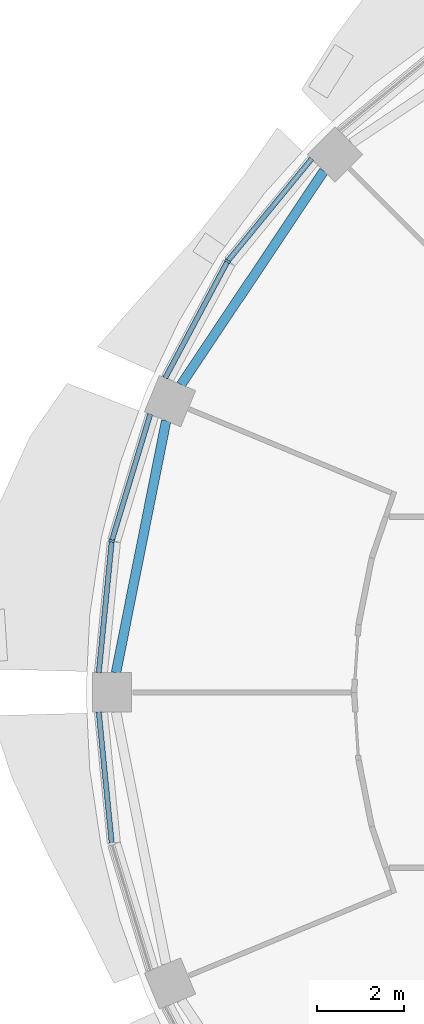
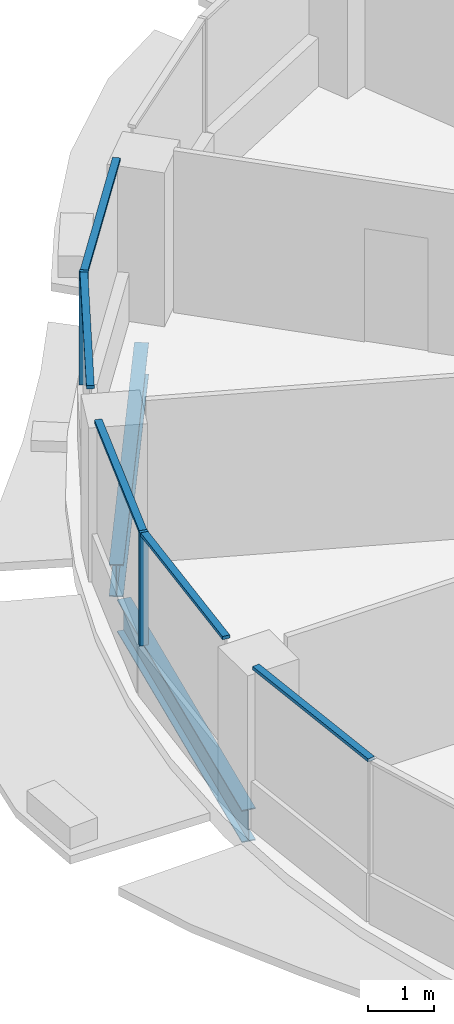
# One storey, part 4 of 15: 7 members, 2 beams, 3 elements without a shape of their own.
"""IFC4 building model written with IfcOpenShell, lengths in metres."""

import ifcopenshell
import ifcopenshell.guid

model = None  # the IFC model being written
_history = None  # IfcOwnerHistory: only IFC2X3 demands one
_inside = {}  # id of a spatial element -> (the spatial element, [elements in it])
_under = {}  # id of a project, library or spatial element -> (it, [spatial elements below it])
_declared = {}  # id of a project -> (the project, [libraries it declares])
_typed = {}  # id of a type object -> (the type object, [elements of that type])
_made_of = {}  # id of a material, layer set ... -> (it, [elements and type objects made of it])


def new_model(schema):
    """Start an empty IFC model of exactly this schema.

    Asked for "IFC4X3", IfcOpenShell would pick the latest addendum, in which some entities
    have other attributes; the version numbers below select the first issue.
    IFC2X3 requires an IfcOwnerHistory on every rooted entity: one is made here for all.
    """
    global model, _history
    if schema == "IFC4X3":
        model = ifcopenshell.file(schema_version=(4, 3, 0, 0))
    else:
        model = ifcopenshell.file(schema=schema)
    _inside.clear()
    _under.clear()
    _declared.clear()
    _typed.clear()
    _made_of.clear()
    _history = None
    if model.schema == "IFC2X3":
        org = make("IfcOrganization", Name="unknown")
        user = make(
            "IfcPersonAndOrganization",
            ThePerson=make("IfcPerson", FamilyName="unknown"),
            TheOrganization=org,
        )
        app = make(
            "IfcApplication",
            ApplicationDeveloper=org,
            Version="unknown",
            ApplicationFullName="unknown",
            ApplicationIdentifier="unknown",
        )
        _history = make(
            "IfcOwnerHistory",
            OwningUser=user,
            OwningApplication=app,
            ChangeAction="ADDED",
            CreationDate=0,
        )
    return model


def make(cls, **values):
    """One entity of the class cls with the attributes given. An attribute that is None is left unset."""
    return model.create_entity(
        cls, **{name: value for name, value in values.items() if value is not None}
    )


def rooted(cls, **values):
    """An entity with a GlobalId (a new one), such as an element, a storey or a relation."""
    return make(cls, GlobalId=ifcopenshell.guid.new(), OwnerHistory=_history, **values)


def si_unit(unit_type, name, prefix=None):
    """IfcSIUnit, for example si_unit("LENGTHUNIT", "METRE", prefix="MILLI")."""
    return make("IfcSIUnit", UnitType=unit_type, Prefix=prefix, Name=name)


def assignment(units):
    """IfcUnitAssignment: the units of a project."""
    return None if units is None else make("IfcUnitAssignment", Units=units)


def point(xyz):
    """IfcCartesianPoint."""
    return None if xyz is None else make("IfcCartesianPoint", Coordinates=xyz)


def direction(xyz):
    """IfcDirection."""
    return None if xyz is None else make("IfcDirection", DirectionRatios=xyz)


def frame(location, z_axis=None, x_axis=None):
    """IfcAxis2Placement3D, a coordinate frame: its origin and axes. An axis left out is left unset."""
    return make(
        "IfcAxis2Placement3D",
        Location=point(location),
        Axis=direction(z_axis),
        RefDirection=direction(x_axis),
    )


def frame_2d(location, x_axis=None):
    """IfcAxis2Placement2D, a coordinate frame in the plane: its origin and x axis."""
    return make(
        "IfcAxis2Placement2D", Location=point(location), RefDirection=direction(x_axis)
    )


def origin():
    """The frame at (0, 0, 0) with its axes left unset."""
    return frame((0.0, 0.0, 0.0))


def origin_2d():
    """The frame at (0, 0) in the plane with its x axis left unset."""
    return frame_2d((0.0, 0.0))


def place(relative_to, where):
    """IfcLocalPlacement: puts the frame where relative to a parent placement (None: the world)."""
    return make(
        "IfcLocalPlacement", PlacementRelTo=relative_to, RelativePlacement=where
    )


def context(
    kind, dimensions, precision=None, world=None, true_north=None, identifier=None
):
    """IfcGeometricRepresentationContext, for example the 3D "Model" context."""
    return make(
        "IfcGeometricRepresentationContext",
        ContextIdentifier=identifier,
        ContextType=kind,
        CoordinateSpaceDimension=dimensions,
        Precision=precision,
        WorldCoordinateSystem=world,
        TrueNorth=true_north,
    )


def subcontext(parent, identifier, kind, view, scale=None):
    """IfcGeometricRepresentationSubContext, for example "Body" below "Model"."""
    return make(
        "IfcGeometricRepresentationSubContext",
        ContextIdentifier=identifier,
        ContextType=kind,
        ParentContext=parent,
        TargetScale=scale,
        TargetView=view,
    )


def project(units=None, contexts=None):
    """IfcProject with its units and contexts."""
    return rooted(
        "IfcProject",
        Name="project",
        RepresentationContexts=contexts,
        UnitsInContext=assignment(units),
    )


def spatial(cls, under=None, at=None, **own):
    """A site, building, storey or space (cls), placed at a placement, below another one or the project."""
    s = rooted(cls, ObjectPlacement=at, **own)
    if under is not None:
        _under.setdefault(under.id(), (under, []))[1].append(s)
    return s


def profile(cls, at=None, kind="AREA", **sizes):
    """A parametric profile (cls). Its sizes go by their IFC names, for example OverallWidth=200.0."""
    return make(cls, ProfileType=kind, Position=at, **sizes)


def rectangle(**sizes):
    """IfcRectangleProfileDef."""
    return profile("IfcRectangleProfileDef", **sizes)


def i_section(**sizes):
    """IfcIShapeProfileDef."""
    return profile("IfcIShapeProfileDef", **sizes)


def extrude(swept, where, along, depth):
    """IfcExtrudedAreaSolid: the profile swept, set in the frame where, extruded along a direction by depth."""
    return make(
        "IfcExtrudedAreaSolid",
        SweptArea=swept,
        Position=where,
        ExtrudedDirection=direction(along),
        Depth=depth,
    )


def shape(context_of_items, identifier, shape_type, items):
    """IfcShapeRepresentation: the items that make up one representation, for example the "Body"."""
    return make(
        "IfcShapeRepresentation",
        ContextOfItems=context_of_items,
        RepresentationIdentifier=identifier,
        RepresentationType=shape_type,
        Items=items,
    )


def material(Name=None, Category=None):
    """IfcMaterial."""
    return make("IfcMaterial", Name=Name, Category=Category)


def material_profile(
    of_material, cross_section, Name=None, Category=None, Priority=None
):
    """IfcMaterialProfile: a cross section and its material."""
    return make(
        "IfcMaterialProfile",
        Name=Name,
        Material=of_material,
        Profile=cross_section,
        Priority=Priority,
        Category=Category,
    )


def profile_set(profiles, Name=None, composite=None):
    """IfcMaterialProfileSet."""
    return make(
        "IfcMaterialProfileSet",
        Name=Name,
        MaterialProfiles=profiles,
        CompositeProfile=composite,
    )


def made_of(thing, what):
    """Note that an element or type object is made of a material, layer set ...; save() writes the relation."""
    if what is not None:
        _made_of.setdefault(what.id(), (what, []))[1].append(thing)
    return thing


def type_object(cls, material=None, **own):
    """A type object (cls), such as IfcWallType, which elements share."""
    return made_of(rooted(cls, **own), material)


def element(
    cls,
    number,
    at=None,
    inside=None,
    cuts=None,
    type_object=None,
    material=None,
    context=None,
    identifier="Body",
    shape_type=None,
    held_by="IfcProductDefinitionShape",
    body=None,
    shapes=None,
    **own,
):
    """One element of the class cls, such as IfcWall. Its Tag is "e" and its number.

    at: its placement. inside: the storey or other place that contains it. cuts: it is an
    opening in that element (IfcRelVoidsElement). A single representation is given by context,
    identifier, shape_type and body (its items); several are given by shapes. held_by: the class
    of the entity that holds the representations. save() writes the other relations.
    """
    e = rooted(cls, Tag="e%d" % number, ObjectPlacement=at, **own)
    if body is not None:
        shapes = [shape(context, identifier, shape_type, body)]
    if shapes is not None:
        e.Representation = make(held_by, Representations=shapes)
    if inside is not None:
        _inside.setdefault(inside.id(), (inside, []))[1].append(e)
    if cuts is not None:
        rooted(
            "IfcRelVoidsElement", RelatingBuildingElement=cuts, RelatedOpeningElement=e
        )
    if type_object is not None:
        _typed.setdefault(type_object.id(), (type_object, []))[1].append(e)
    return made_of(e, material)


def aggregate(whole, parts):
    """IfcRelAggregates: a whole, such as a stair, and the parts it consists of."""
    return rooted("IfcRelAggregates", RelatingObject=whole, RelatedObjects=parts)


def save(model, path):
    """Write the relations noted so far, then the file.

    IfcRelAggregates (storeys below a building ...), IfcRelContainedInSpatialStructure (elements
    in a storey), IfcRelDefinesByType, IfcRelAssociatesMaterial and IfcRelDeclares: one each for
    every whole, place, type object, material and project.
    """
    for whole, parts in _under.values():
        aggregate(whole, parts)
    for where, things in _inside.values():
        rooted(
            "IfcRelContainedInSpatialStructure",
            RelatedElements=things,
            RelatingStructure=where,
        )
    for kind, things in _typed.values():
        rooted("IfcRelDefinesByType", RelatedObjects=things, RelatingType=kind)
    for what, things in _made_of.values():
        rooted("IfcRelAssociatesMaterial", RelatedObjects=things, RelatingMaterial=what)
    for by, libraries in _declared.values():
        rooted("IfcRelDeclares", RelatingContext=by, RelatedDefinitions=libraries)
    model.write(path)


model = new_model("IFC4")

# Units and contexts
model_context = context("Model", 3, precision=1e-05, world=origin(), true_north=direction((0.0, 1.0)))
body_context = subcontext(model_context, "Body", "Model", "MODEL_VIEW")
ifc_project = project(units=[si_unit("LENGTHUNIT", "METRE"), si_unit("AREAUNIT", "SQUARE_METRE"), si_unit("VOLUMEUNIT", "CUBIC_METRE"), si_unit("PLANEANGLEUNIT", "RADIAN"), si_unit("MASSUNIT", "GRAM", prefix="KILO")], contexts=[model_context])

# Site, building, storey
site_placement = place(None, origin())
site = spatial("IfcSite", under=ifc_project, at=site_placement, CompositionType="ELEMENT")
building_placement = place(site_placement, origin())
building = spatial("IfcBuilding", under=site, at=building_placement, Name="Polderwave Tower", CompositionType="ELEMENT")
storey_placement = place(building_placement, frame((0.0, 0.0, 191.0)))
storey = spatial("IfcBuildingStorey", under=building, at=storey_placement, Name="L51", CompositionType="ELEMENT", Elevation=191.0)

# Curtain wall, member
ifc_material_1 = material(Name="Aluminium 6063-T6 and glass", Category="aluminium")
curtain_wall_type = type_object("IfcCurtainWallType", Name="Office ribbon glazing wall", PredefinedType="NOTDEFINED", material=ifc_material_1)
curtain_wall_1_placement = place(storey_placement, origin())
curtain_wall_1 = element("IfcCurtainWall", 1, at=curtain_wall_1_placement, inside=storey, type_object=curtain_wall_type, Name="CW3 L51 06", PredefinedType="NOTDEFINED")
ifc_material_2 = material(Name="Aluminium 6063-T6", Category="aluminium")
ifc_material_profile_1 = material_profile(ifc_material_2, rectangle(XDim=0.139892578125, YDim=0.054931640625, at=origin_2d()), Name="AL 55x140")
ifc_profile_set_1 = profile_set([ifc_material_profile_1], Name="Aluminium 6063-T6")
member_type_1 = type_object("IfcMemberType", Name="Office ribbon glazing mullion 55x140", PredefinedType="MULLION", material=ifc_profile_set_1)
member_1_placement = place(storey_placement, frame((-14.800048828125, 9.888916015625, 0.89990234375), z_axis=(0.0, 0.0, 1.0), x_axis=(0.831419186923, -0.55564569252, 0.0)))
member_1 = element("IfcMember", 2, at=member_1_placement, type_object=member_type_1, Name="CW3 mullion 1", PredefinedType="MULLION", context=body_context, shape_type="SweptSolid", body=[
    extrude(rectangle(XDim=0.139892578125, YDim=0.054931640625, at=origin_2d()), origin(), (0.0, 0.0, 1.0), 2.10009765625),
])

curtain_wall_2_placement = place(storey_placement, origin())
curtain_wall_2 = element("IfcCurtainWall", 3, at=curtain_wall_2_placement, inside=storey, type_object=curtain_wall_type, Name="CW3 L51 07", PredefinedType="NOTDEFINED")
member_2_placement = place(storey_placement, frame((-17.4580078125, 3.472900390625, 0.89990234375), z_axis=(0.0, 0.0, 1.0), x_axis=(0.980762460409, -0.195205010829, 0.0)))
member_2 = element("IfcMember", 4, at=member_2_placement, type_object=member_type_1, Name="CW3 mullion 1", PredefinedType="MULLION", context=body_context, shape_type="SweptSolid", body=[
    extrude(rectangle(XDim=0.139892578125, YDim=0.054931640625, at=origin_2d()), origin(), (0.0, 0.0, 1.0), 2.10009765625),
])

# Member
ifc_material_profile_2 = material_profile(ifc_material_2, rectangle(XDim=0.1201171875, YDim=0.06005859375, at=origin_2d()), Name="AL 60x120")
ifc_profile_set_2 = profile_set([ifc_material_profile_2], Name="Aluminium 6063-T6")
member_type_2 = type_object("IfcMemberType", Name="Office ribbon glazing transom 60x120", PredefinedType="USERDEFINED", material=ifc_profile_set_2)
member_3_placement = place(storey_placement, frame((-12.873046875, 12.237060546875, 2.969970703125), z_axis=(-0.634438411451, -0.772973416151, 0.0), x_axis=(0.772973416151, -0.634438411451, 0.0)))
member_3 = element("IfcMember", 5, at=member_3_placement, type_object=member_type_2, Name="CW3 transom 1", ObjectType="TRANSOM", PredefinedType="USERDEFINED", context=body_context, shape_type="SweptSolid", body=[
    extrude(rectangle(XDim=0.1201171875, YDim=0.06005859375, at=origin_2d()), origin(), (0.0, 0.0, 1.0), 3.010009765625),
])

member_4_placement = place(storey_placement, frame((-14.81298828125, 9.86474609375, 2.969970703125), z_axis=(-0.471514347904, -0.881858389834, 0.0), x_axis=(0.881858389834, -0.471514347904, 0.0)))
member_4 = element("IfcMember", 6, at=member_4_placement, type_object=member_type_2, Name="CW3 transom 2", ObjectType="TRANSOM", PredefinedType="USERDEFINED", context=body_context, shape_type="SweptSolid", body=[
    extrude(rectangle(XDim=0.1201171875, YDim=0.06005859375, at=origin_2d()), origin(), (0.0, 0.0, 1.0), 3.00927734375),
])

aggregate(curtain_wall_1, [member_1, member_3, member_4])

member_5_placement = place(storey_placement, frame((-16.575927734375, 6.37890625, 2.969970703125), z_axis=(-0.290435177237, -0.956894669137, 0.0), x_axis=(0.956894669137, -0.290435177237, 0.0)))
member_5 = element("IfcMember", 7, at=member_5_placement, type_object=member_type_2, Name="CW3 transom 1", ObjectType="TRANSOM", PredefinedType="USERDEFINED", context=body_context, shape_type="SweptSolid", body=[
    extrude(rectangle(XDim=0.1201171875, YDim=0.06005859375, at=origin_2d()), origin(), (0.0, 0.0, 1.0), 3.00927734375),
])

member_6_placement = place(storey_placement, frame((-17.460693359375, 3.445556640625, 2.969970703125), z_axis=(-0.098138471931, -0.995172769084, 0.0), x_axis=(0.995172769084, -0.098138471931, 0.0)))
member_6 = element("IfcMember", 8, at=member_6_placement, type_object=member_type_2, Name="CW3 transom 2", ObjectType="TRANSOM", PredefinedType="USERDEFINED", context=body_context, shape_type="SweptSolid", body=[
    extrude(rectangle(XDim=0.1201171875, YDim=0.06005859375, at=origin_2d()), origin(), (0.0, 0.0, 1.0), 3.01025390625),
])

aggregate(curtain_wall_2, [member_2, member_5, member_6])

# Curtain wall, member
curtain_wall_3_placement = place(storey_placement, origin())
curtain_wall_3 = element("IfcCurtainWall", 9, at=curtain_wall_3_placement, inside=storey, type_object=curtain_wall_type, Name="CW3 L51 08", PredefinedType="NOTDEFINED")
member_7_placement = place(storey_placement, frame((-17.756103515625, -0.449951171875, 2.969970703125), z_axis=(0.098138471931, -0.995172769084, 0.0), x_axis=(0.995172769084, 0.098138471931, 0.0)))
member_7 = element("IfcMember", 10, at=member_7_placement, type_object=member_type_2, Name="CW3 transom 1", ObjectType="TRANSOM", PredefinedType="USERDEFINED", context=body_context, shape_type="SweptSolid", body=[
    extrude(rectangle(XDim=0.1201171875, YDim=0.06005859375, at=origin_2d()), origin(), (0.0, 0.0, 1.0), 3.01025390625),
])
aggregate(curtain_wall_3, [member_7])

# Beams
ifc_material_3 = material(Name="Steel S355", Category="steel")
ifc_material_profile_3 = material_profile(ifc_material_3, i_section(OverallWidth=0.219970703125, OverallDepth=0.60009765625, WebThickness=0.011962890625, FlangeThickness=0.01904296875, at=origin_2d()), Name="IPE 600")
ifc_profile_set_3 = profile_set([ifc_material_profile_3], Name="Steel S355")
beam_type = type_object("IfcBeamType", Name="RING BEAM IPE 600", PredefinedType="BEAM", material=ifc_profile_set_3)
beam_1_placement = place(storey_placement, frame((-12.593994140625, 11.95751953125, -0.64990234375), z_axis=(-0.555551093196, -0.831482400805, 0.0), x_axis=(0.831482400805, -0.555551093196, 0.0)))
element("IfcBeam", 11, at=beam_1_placement, inside=storey, type_object=beam_type, Name="ST-RB-L51-06", PredefinedType="BEAM", context=body_context, shape_type="SweptSolid", body=[
    extrude(i_section(OverallWidth=0.219970703125, OverallDepth=0.60009765625, WebThickness=0.011962890625, FlangeThickness=0.01904296875, at=origin_2d()), origin(), (0.0, 0.0, 1.0), 5.890869140625),
])
beam_2_placement = place(storey_placement, frame((-16.211181640625, 6.227783203125, -0.64990234375), z_axis=(-0.195111845788, -0.980780998813, 0.0), x_axis=(0.980780998813, -0.195111845788, 0.0)))
element("IfcBeam", 12, at=beam_2_placement, inside=storey, type_object=beam_type, Name="ST-RB-L51-07", PredefinedType="BEAM", context=body_context, shape_type="SweptSolid", body=[
    extrude(i_section(OverallWidth=0.219970703125, OverallDepth=0.60009765625, WebThickness=0.011962890625, FlangeThickness=0.01904296875, at=origin_2d()), origin(), (0.0, 0.0, 1.0), 5.89111328125),
])

save(model, "model.ifc")
